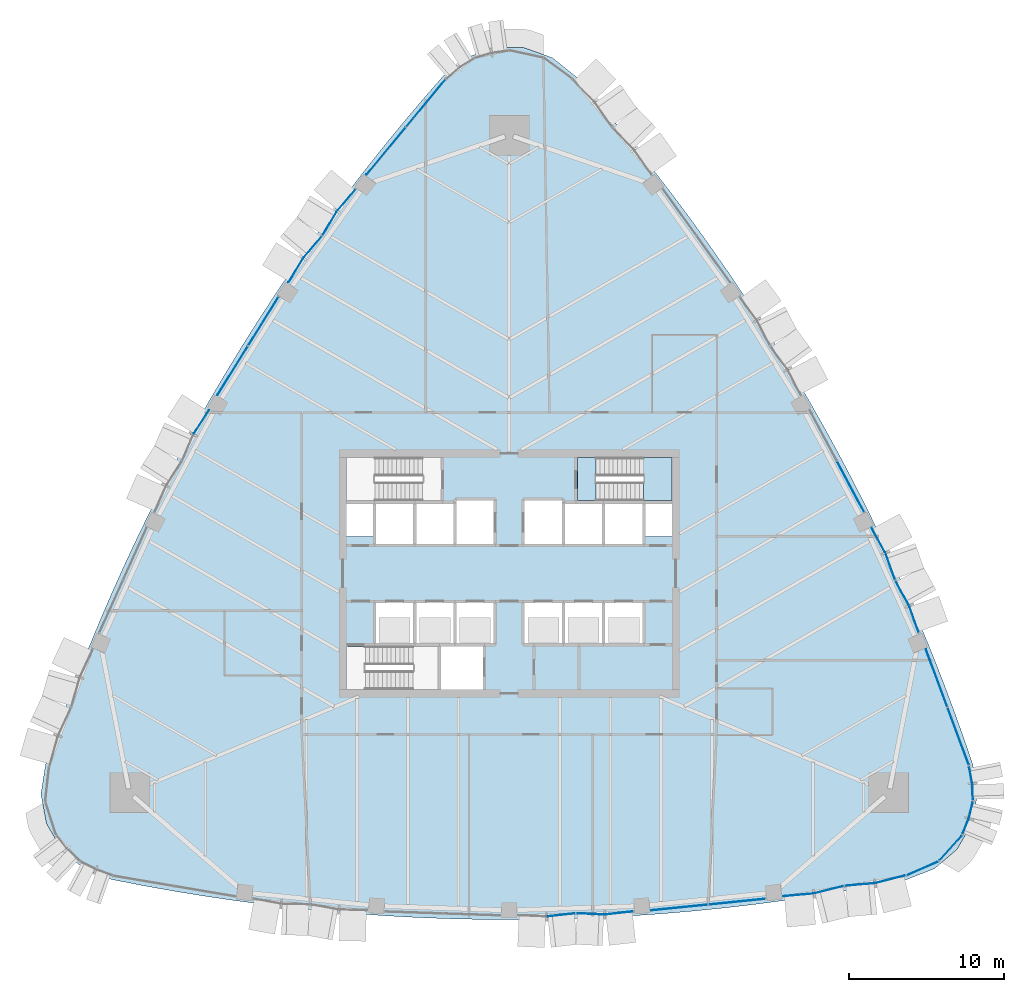
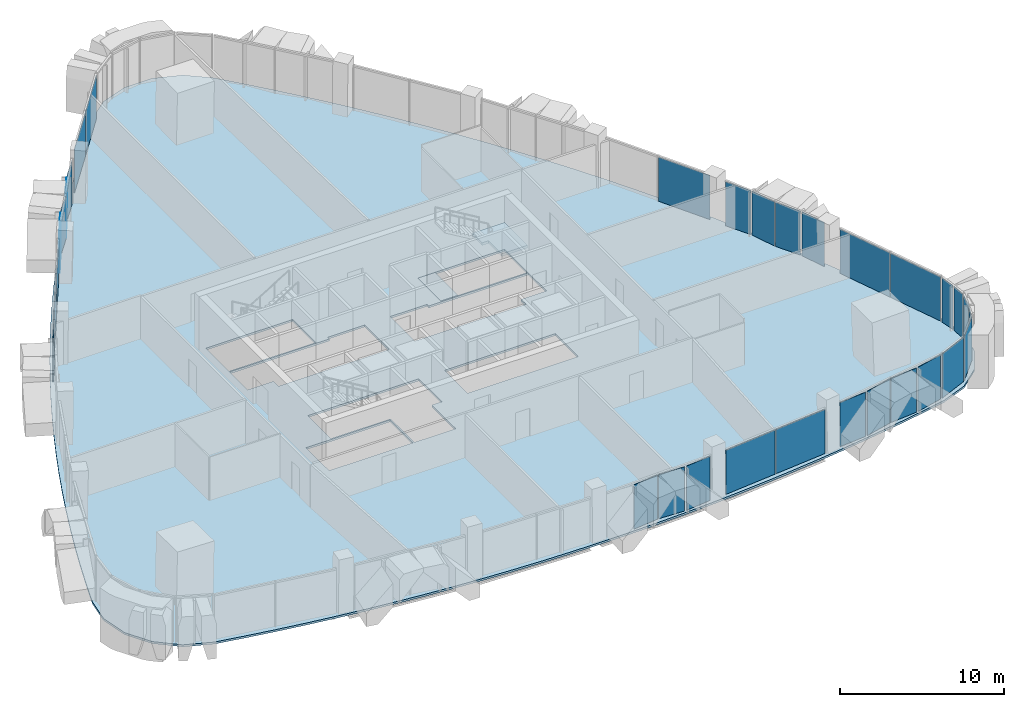
# One storey, part 9 of 17: 31 plates, 3 slabs, 15 elements without a shape of their own.
"""IFC4 building model written with IfcOpenShell, lengths in metres."""

from ifc_helpers import new_model, si_unit, direction, frame, origin, origin_2d, place, context, subcontext, project, spatial, polyline, rectangle, outline, extrude, material, layer, layer_set, type_object, element, aggregate, save


model = new_model("IFC4")

# Units and contexts
model_context = context("Model", 3, precision=1e-05, world=origin(), true_north=direction((0.0, 1.0)))
body_context = subcontext(model_context, "Body", "Model", "MODEL_VIEW")
ifc_project = project(units=[si_unit("LENGTHUNIT", "METRE"), si_unit("AREAUNIT", "SQUARE_METRE"), si_unit("VOLUMEUNIT", "CUBIC_METRE"), si_unit("PLANEANGLEUNIT", "RADIAN"), si_unit("MASSUNIT", "GRAM", prefix="KILO")], contexts=[model_context])

# Site, building, storey
site_placement = place(None, origin())
site = spatial("IfcSite", under=ifc_project, at=site_placement, CompositionType="ELEMENT")
building_placement = place(site_placement, origin())
building = spatial("IfcBuilding", under=site, at=building_placement, Name="Sierra Prisma Convention Tower", CompositionType="ELEMENT")
storey_placement = place(building_placement, frame((0.0, 0.0, 145.800048828125)))
storey = spatial("IfcBuildingStorey", under=building, at=storey_placement, Name="L31", CompositionType="ELEMENT", Elevation=145.800048828125)

# Curtain wall, plates
ifc_material_1 = material(Name="Aluminium and glass curtain wall", Category="aluminium")
ifc_layer_1 = layer(ifc_material_1, 0.179931640625)
ifc_layer_set_1 = layer_set([ifc_layer_1], Name="CW-1 Plain shaft curtain wall")
curtain_wall_type_1 = type_object("IfcCurtainWallType", Name="CW-1 Plain shaft curtain wall", PredefinedType="NOTDEFINED", material=ifc_layer_set_1)
curtain_wall_1_placement = place(storey_placement, origin())
curtain_wall_1 = element("IfcCurtainWall", 1, at=curtain_wall_1_placement, inside=storey, type_object=curtain_wall_type_1, Name="CW-1 S5 L31", PredefinedType="NOTDEFINED")
ifc_material_2 = material(Name="Tinted glass bronze-grey IGU", Category="glass")
ifc_layer_2 = layer(ifc_material_2, 0.028076171875)
ifc_layer_set_2 = layer_set([ifc_layer_2], Name="CW-1 glass panel")
plate_type_1 = type_object("IfcPlateType", Name="CW-1 glass panel", PredefinedType="CURTAIN_PANEL", material=ifc_layer_set_2)
plate_1_placement = place(storey_placement, frame((10.9873046875, -21.57666015625, 0.0), z_axis=(0.0, 0.0, 1.0), x_axis=(0.99493521819, 0.100518215286, 0.0)))
plate_1 = element("IfcPlate", 2, at=plate_1_placement, type_object=plate_type_1, Name="CW-1 panel S5.1", PredefinedType="CURTAIN_PANEL", context=body_context, shape_type="SweptSolid", body=[
    extrude(rectangle(XDim=3.671875, YDim=0.028076171875, at=origin_2d()), origin(), (0.0, 0.0, 1.0), 3.280029296875),
])
plate_2_placement = place(storey_placement, frame((14.710205078125, -21.20068359375, 0.0), z_axis=(0.0, 0.0, 1.0), x_axis=(0.99493521819, 0.100518215286, 0.0)))
plate_2 = element("IfcPlate", 3, at=plate_2_placement, type_object=plate_type_1, Name="CW-1 panel S5.2", PredefinedType="CURTAIN_PANEL", context=body_context, shape_type="SweptSolid", body=[
    extrude(rectangle(XDim=3.671875, YDim=0.028076171875, at=origin_2d()), origin(), (0.0, 0.0, 1.0), 3.280029296875),
])
aggregate(curtain_wall_1, [plate_1, plate_2])

# Curtain wall, plate
curtain_wall_2_placement = place(storey_placement, origin())
curtain_wall_2 = element("IfcCurtainWall", 4, at=curtain_wall_2_placement, inside=storey, type_object=curtain_wall_type_1, Name="CW-1 SE1 L31", PredefinedType="NOTDEFINED")
plate_3_placement = place(storey_placement, frame((26.6767578125, -19.05810546875, 0.0), z_axis=(0.0, 0.0, 1.0), x_axis=(0.915988373638, 0.401204809741, 0.0)))
plate_3 = element("IfcPlate", 5, at=plate_3_placement, type_object=plate_type_1, Name="CW-1 panel SE1.1", PredefinedType="CURTAIN_PANEL", context=body_context, shape_type="SweptSolid", body=[
    extrude(rectangle(XDim=2.15380859375, YDim=0.028076171875, at=origin_2d()), origin(), (0.0, 0.0, 1.0), 3.280029296875),
])
aggregate(curtain_wall_2, [plate_3])

curtain_wall_3_placement = place(storey_placement, origin())
curtain_wall_3 = element("IfcCurtainWall", 6, at=curtain_wall_3_placement, inside=storey, type_object=curtain_wall_type_1, Name="CW-1 SE2 L31", PredefinedType="NOTDEFINED")
plate_4_placement = place(storey_placement, frame((28.496337890625, -17.7470703125, 0.0), z_axis=(0.0, 0.0, 1.0), x_axis=(0.670627238013, 0.741794518472, 0.0)))
plate_4 = element("IfcPlate", 7, at=plate_4_placement, type_object=plate_type_1, Name="CW-1 panel SE2.1", PredefinedType="CURTAIN_PANEL", context=body_context, shape_type="SweptSolid", body=[
    extrude(rectangle(XDim=2.15380859375, YDim=0.028076171875, at=origin_2d()), origin(), (0.0, 0.0, 1.0), 3.280029296875),
])
aggregate(curtain_wall_3, [plate_4])

# Curtain wall, plates
curtain_wall_4_placement = place(storey_placement, origin())
curtain_wall_4 = element("IfcCurtainWall", 8, at=curtain_wall_4_placement, inside=storey, type_object=curtain_wall_type_1, Name="CW-1 NE1 L31", PredefinedType="NOTDEFINED")
plate_5_placement = place(storey_placement, frame((29.0048828125, -10.51953125, 0.0), z_axis=(0.0, 0.0, 1.0), x_axis=(-0.348326317722, 0.937373338848, 0.0)))
plate_5 = element("IfcPlate", 9, at=plate_5_placement, type_object=plate_type_1, Name="CW-1 panel NE1.1", PredefinedType="CURTAIN_PANEL", context=body_context, shape_type="SweptSolid", body=[
    extrude(rectangle(XDim=3.9443359375, YDim=0.028076171875, at=origin_2d()), origin(), (0.0, 0.0, 1.0), 3.280029296875),
])
plate_6_placement = place(storey_placement, frame((27.606689453125, -6.7568359375, 0.0), z_axis=(0.0, 0.0, 1.0), x_axis=(-0.348326317722, 0.937373338848, 0.0)))
plate_6 = element("IfcPlate", 10, at=plate_6_placement, type_object=plate_type_1, Name="CW-1 panel NE1.2", PredefinedType="CURTAIN_PANEL", context=body_context, shape_type="SweptSolid", body=[
    extrude(rectangle(XDim=3.9443359375, YDim=0.028076171875, at=origin_2d()), origin(), (0.0, 0.0, 1.0), 3.280029296875),
])
aggregate(curtain_wall_4, [plate_5, plate_6])

# Curtain wall, plate
curtain_wall_5_placement = place(storey_placement, origin())
curtain_wall_5 = element("IfcCurtainWall", 11, at=curtain_wall_5_placement, inside=storey, type_object=curtain_wall_type_1, Name="CW-1 NE3 L31", PredefinedType="NOTDEFINED")
plate_7_placement = place(storey_placement, frame((22.05029296875, 5.60791015625, 0.0), z_axis=(0.0, 0.0, 1.0), x_axis=(-0.47065767126, 0.882315905152, 0.0)))
plate_7 = element("IfcPlate", 12, at=plate_7_placement, type_object=plate_type_1, Name="CW-1 panel NE3.1", PredefinedType="CURTAIN_PANEL", context=body_context, shape_type="SweptSolid", body=[
    extrude(rectangle(XDim=3.68798828125, YDim=0.028076171875, at=origin_2d()), origin(), (0.0, 0.0, 1.0), 3.280029296875),
])
aggregate(curtain_wall_5, [plate_7])

# Curtain wall, plates
curtain_wall_6_placement = place(storey_placement, origin())
curtain_wall_6 = element("IfcCurtainWall", 13, at=curtain_wall_6_placement, inside=storey, type_object=curtain_wall_type_1, Name="CW-1 NW1 L31", PredefinedType="NOTDEFINED")
plate_8_placement = place(storey_placement, frame((-5.39208984375, 30.37890625, 0.0), z_axis=(0.0, 0.0, 1.0), x_axis=(-0.637625965411, -0.770346109378, 0.0)))
plate_8 = element("IfcPlate", 14, at=plate_8_placement, type_object=plate_type_1, Name="CW-1 panel NW1.1", PredefinedType="CURTAIN_PANEL", context=body_context, shape_type="SweptSolid", body=[
    extrude(rectangle(XDim=3.9443359375, YDim=0.028076171875, at=origin_2d()), origin(), (0.0, 0.0, 1.0), 3.280029296875),
])
plate_9_placement = place(storey_placement, frame((-7.951904296875, 27.28662109375, 0.0), z_axis=(0.0, 0.0, 1.0), x_axis=(-0.637625965411, -0.770346109378, 0.0)))
plate_9 = element("IfcPlate", 15, at=plate_9_placement, type_object=plate_type_1, Name="CW-1 panel NW1.2", PredefinedType="CURTAIN_PANEL", context=body_context, shape_type="SweptSolid", body=[
    extrude(rectangle(XDim=3.9443359375, YDim=0.028076171875, at=origin_2d()), origin(), (0.0, 0.0, 1.0), 3.280029296875),
])
aggregate(curtain_wall_6, [plate_8, plate_9])

curtain_wall_7_placement = place(storey_placement, origin())
curtain_wall_7 = element("IfcCurtainWall", 16, at=curtain_wall_7_placement, inside=storey, type_object=curtain_wall_type_1, Name="CW-1 NW3 L31", PredefinedType="NOTDEFINED")
plate_10_placement = place(storey_placement, frame((-15.8818359375, 16.2919921875, 0.0), z_axis=(0.0, 0.0, 1.0), x_axis=(-0.528779152394, -0.848759452373, 0.0)))
plate_10 = element("IfcPlate", 17, at=plate_10_placement, type_object=plate_type_1, Name="CW-1 panel NW3.1", PredefinedType="CURTAIN_PANEL", context=body_context, shape_type="SweptSolid", body=[
    extrude(rectangle(XDim=3.68798828125, YDim=0.028076171875, at=origin_2d()), origin(), (0.0, 0.0, 1.0), 3.280029296875),
])
plate_11_placement = place(storey_placement, frame((-17.868896484375, 13.1025390625, 0.0), z_axis=(0.0, 0.0, 1.0), x_axis=(-0.528779152394, -0.848759452373, 0.0)))
plate_11 = element("IfcPlate", 18, at=plate_11_placement, type_object=plate_type_1, Name="CW-1 panel NW3.2", PredefinedType="CURTAIN_PANEL", context=body_context, shape_type="SweptSolid", body=[
    extrude(rectangle(XDim=3.68798828125, YDim=0.028076171875, at=origin_2d()), origin(), (0.0, 0.0, 1.0), 3.280029296875),
])
aggregate(curtain_wall_7, [plate_10, plate_11])

ifc_material_3 = material(Name="Aluminium and glass curtain wall", Category="aluminium")
ifc_layer_3 = layer(ifc_material_3, 0.179931640625)
ifc_layer_set_3 = layer_set([ifc_layer_3], Name="CW-2 Faceted crystal curtain wall")
curtain_wall_type_2 = type_object("IfcCurtainWallType", Name="CW-2 Faceted crystal curtain wall", PredefinedType="NOTDEFINED", material=ifc_layer_set_3)
curtain_wall_8_placement = place(storey_placement, origin())
curtain_wall_8 = element("IfcCurtainWall", 19, at=curtain_wall_8_placement, inside=storey, type_object=curtain_wall_type_2, Name="CW-2 S4 L31", PredefinedType="NOTDEFINED")
ifc_material_4 = material(Name="Tinted glass bronze-grey IGU", Category="glass")
ifc_layer_4 = layer(ifc_material_4, 0.028076171875)
ifc_layer_set_4 = layer_set([ifc_layer_4], Name="CW-2 crystal pane")
plate_type_2 = type_object("IfcPlateType", Name="CW-2 crystal pane", PredefinedType="CURTAIN_PANEL", material=ifc_layer_set_4)
plate_12_placement = place(storey_placement, frame((4.255615234375, -21.96435546875, 0.0), z_axis=(0.111767754453, -0.993734355381, 0.0), x_axis=(-0.993734355381, -0.111767754453, 0.0)))
plate_12 = element("IfcPlate", 20, at=plate_12_placement, type_object=plate_type_2, Name="CW-2 pane S4.1.2", PredefinedType="CURTAIN_PANEL", context=body_context, shape_type="SweptSolid", body=[
    extrude(outline(polyline([(0.0, 0.0), (1.7846192902528906, 0.0), (1.7846192902528906, -3.280029296875), (0.0, -3.280029296875), (0.0, 0.0)])), origin(), (0.0, 0.0, -1.0), 0.028076171875),
])
plate_13_placement = place(storey_placement, frame((4.325439453125, -21.9619140625, 0.0), z_axis=(-0.045004334445, -0.998986791645, 0.0), x_axis=(0.998986791645, -0.045004334445, 0.0)))
plate_13 = element("IfcPlate", 21, at=plate_13_placement, type_object=plate_type_2, Name="CW-2 pane S4.2.1", PredefinedType="CURTAIN_PANEL", context=body_context, shape_type="SweptSolid", body=[
    extrude(outline(polyline([(0.0, 0.0), (1.7847673255409695, 0.0), (1.7847673255409695, 3.280029296875001), (0.0, 3.280029296875001), (0.0, 0.0)])), origin(), (0.0, 0.0, -1.0), 0.028076171875),
])
plate_14_placement = place(storey_placement, frame((8.01123046875, -21.838134765625, 0.0), z_axis=(0.111902845048, -0.99371915211, 0.0), x_axis=(-0.99371915211, -0.111902845048, 0.0)))
plate_14 = element("IfcPlate", 22, at=plate_14_placement, type_object=plate_type_2, Name="CW-2 pane S4.2.2", PredefinedType="CURTAIN_PANEL", context=body_context, shape_type="SweptSolid", body=[
    extrude(outline(polyline([(0.0, 0.0), (1.784646593792995, 0.0), (1.784646593792995, -3.280029296875001), (0.0, -3.280029296875001), (0.0, 0.0)])), origin(), (0.0, 0.0, -1.0), 0.028076171875),
])
aggregate(curtain_wall_8, [plate_12, plate_13, plate_14])

curtain_wall_9_placement = place(storey_placement, origin())
curtain_wall_9 = element("IfcCurtainWall", 23, at=curtain_wall_9_placement, inside=storey, type_object=curtain_wall_type_2, Name="CW-2 S6 L31", PredefinedType="NOTDEFINED")
plate_15_placement = place(storey_placement, frame((17.71044921875, -20.859130859375, 0.0), z_axis=(0.089189629746, -0.996014663519, 0.0), x_axis=(0.996014663519, 0.089189629746, 0.0)))
plate_15 = element("IfcPlate", 24, at=plate_15_placement, type_object=plate_type_2, Name="CW-2 pane S6.1.1", PredefinedType="CURTAIN_PANEL", context=body_context, shape_type="SweptSolid", body=[
    extrude(outline(polyline([(0.0, 0.0), (1.913387210601883, 0.0), (1.913387210601883, 3.280029296875), (0.0, 3.280029296875), (0.0, 0.0)])), origin(), (0.0, 0.0, -1.0), 0.028076171875),
])
plate_16_placement = place(storey_placement, frame((21.599365234375, -20.2001953125, 0.0), z_axis=(0.243976518255, -0.969781139505, 0.0), x_axis=(-0.969781139505, -0.243976518255, 0.0)))
plate_16 = element("IfcPlate", 25, at=plate_16_placement, type_object=plate_type_2, Name="CW-2 pane S6.1.2", PredefinedType="CURTAIN_PANEL", context=body_context, shape_type="SweptSolid", body=[
    extrude(outline(polyline([(0.0, 0.0), (1.91328607498626, 0.0), (1.91328607498626, -3.280029296875), (0.0, -3.280029296875), (0.0, 0.0)])), origin(), (0.0, 0.0, -1.0), 0.028076171875),
])
plate_17_placement = place(storey_placement, frame((21.66845703125, -20.188720703125, 0.0), z_axis=(0.08920096607, -0.996013648326, 0.0), x_axis=(0.996013648326, 0.08920096607, 0.0)))
plate_17 = element("IfcPlate", 26, at=plate_17_placement, type_object=plate_type_2, Name="CW-2 pane S6.2.1", PredefinedType="CURTAIN_PANEL", context=body_context, shape_type="SweptSolid", body=[
    extrude(outline(polyline([(0.0, 0.0), (1.9131440430833393, 0.0), (1.9131440430833393, 3.280029296875001), (0.0, 3.280029296875001), (0.0, 0.0)])), origin(), (0.0, 0.0, -1.0), 0.028076171875),
])
plate_18_placement = place(storey_placement, frame((25.55712890625, -19.52978515625, 0.0), z_axis=(0.243856505367, -0.969811324326, 0.0), x_axis=(-0.969811324326, -0.243856505367, 0.0)))
plate_18 = element("IfcPlate", 27, at=plate_18_placement, type_object=plate_type_2, Name="CW-2 pane S6.2.2", PredefinedType="CURTAIN_PANEL", context=body_context, shape_type="SweptSolid", body=[
    extrude(outline(polyline([(0.0, 0.0), (1.9132265250563907, 0.0), (1.9132265250563907, -3.280029296875), (0.0, -3.280029296875), (0.0, 0.0)])), origin(), (0.0, 0.0, -1.0), 0.028076171875),
])
aggregate(curtain_wall_9, [plate_15, plate_16, plate_17, plate_18])

curtain_wall_10_placement = place(storey_placement, origin())
curtain_wall_10 = element("IfcCurtainWall", 28, at=curtain_wall_10_placement, inside=storey, type_object=curtain_wall_type_2, Name="CW-2 SE3 L31", PredefinedType="NOTDEFINED")
plate_19_placement = place(storey_placement, frame((29.286865234375, -16.829833984375, 0.0), z_axis=(0.92461334275, -0.380907031188, 0.0), x_axis=(0.380907031188, 0.92461334275, 0.0)))
plate_19 = element("IfcPlate", 29, at=plate_19_placement, type_object=plate_type_2, Name="CW-2 pane SE3.1.1", PredefinedType="CURTAIN_PANEL", context=body_context, shape_type="SweptSolid", body=[
    extrude(outline(polyline([(0.0, 0.0), (1.0152575781923803, 0.0), (1.0152575781923803, 3.280029296875001), (0.0, 3.280029296875001), (0.0, 0.0)])), origin(), (0.0, 0.0, -1.0), 0.028076171875),
])
plate_20_placement = place(storey_placement, frame((29.9482421875, -14.780029296875, 0.0), z_axis=(0.972878406883, -0.231317110089, 0.0), x_axis=(-0.231317110089, -0.972878406883, 0.0)))
plate_20 = element("IfcPlate", 30, at=plate_20_placement, type_object=plate_type_2, Name="CW-2 pane SE3.1.2", PredefinedType="CURTAIN_PANEL", context=body_context, shape_type="SweptSolid", body=[
    extrude(outline(polyline([(0.0, 0.0), (1.0153303452529403, 0.0), (1.0153303452529403, -3.280029296875), (0.0, -3.280029296875), (0.0, 0.0)])), origin(), (0.0, 0.0, -1.0), 0.028076171875),
])
aggregate(curtain_wall_10, [plate_19, plate_20])

curtain_wall_11_placement = place(storey_placement, origin())
curtain_wall_11 = element("IfcCurtainWall", 31, at=curtain_wall_11_placement, inside=storey, type_object=curtain_wall_type_2, Name="CW-2 SE4 L31", PredefinedType="NOTDEFINED")
plate_21_placement = place(storey_placement, frame((29.962158203125, -14.64404296875, 0.0), z_axis=(0.999480614201, 0.032225794587, 0.0), x_axis=(-0.032225794587, 0.999480614201, 0.0)))
plate_21 = element("IfcPlate", 32, at=plate_21_placement, type_object=plate_type_2, Name="CW-2 pane SE4.1.1", PredefinedType="CURTAIN_PANEL", context=body_context, shape_type="SweptSolid", body=[
    extrude(outline(polyline([(0.0, 0.0), (1.0151757053450297, 0.0), (1.0151757053450297, 3.280029296875001), (0.0, 3.280029296875001), (0.0, 0.0)])), origin(), (0.0, 0.0, -1.0), 0.028076171875),
])
plate_22_placement = place(storey_placement, frame((29.72412109375, -12.50341796875, 0.0), z_axis=(0.982157082149, 0.188062399177, 0.0), x_axis=(0.188062399177, -0.982157082149, 0.0)))
plate_22 = element("IfcPlate", 33, at=plate_22_placement, type_object=plate_type_2, Name="CW-2 pane SE4.1.2", PredefinedType="CURTAIN_PANEL", context=body_context, shape_type="SweptSolid", body=[
    extrude(outline(polyline([(0.0, 0.0), (1.0151841600716955, 0.0), (1.0151841600716955, -3.280029296875001), (0.0, -3.280029296875001), (0.0, 0.0)])), origin(), (0.0, 0.0, -1.0), 0.028076171875),
])
aggregate(curtain_wall_11, [plate_21, plate_22])

curtain_wall_12_placement = place(storey_placement, origin())
curtain_wall_12 = element("IfcCurtainWall", 34, at=curtain_wall_12_placement, inside=storey, type_object=curtain_wall_type_2, Name="CW-2 NE2 L31", PredefinedType="NOTDEFINED")
plate_23_placement = place(storey_placement, frame((26.468994140625, -3.8134765625, 0.0), z_axis=(0.941280913524, 0.33762440942, 0.0), x_axis=(-0.33762440942, 0.941280913524, 0.0)))
plate_23 = element("IfcPlate", 35, at=plate_23_placement, type_object=plate_type_2, Name="CW-2 pane NE2.1.1", PredefinedType="CURTAIN_PANEL", context=body_context, shape_type="SweptSolid", body=[
    extrude(outline(polyline([(0.0, 0.0), (1.776688826069703, 0.0), (1.776688826069703, 3.280029296875), (0.0, 3.280029296875), (0.0, 0.0)])), origin(), (0.0, 0.0, -1.0), 0.028076171875),
])
plate_24_placement = place(storey_placement, frame((24.9619140625, -0.465087890625, 0.0), z_axis=(0.876885286852, 0.480699691805, 0.0), x_axis=(0.480699691805, -0.876885286852, 0.0)))
plate_24 = element("IfcPlate", 36, at=plate_24_placement, type_object=plate_type_2, Name="CW-2 pane NE2.1.2", PredefinedType="CURTAIN_PANEL", context=body_context, shape_type="SweptSolid", body=[
    extrude(outline(polyline([(0.0, 0.0), (1.7765850921241144, 0.0), (1.7765850921241144, -3.280029296875), (0.0, -3.280029296875), (0.0, 0.0)])), origin(), (0.0, 0.0, -1.0), 0.028076171875),
])
plate_25_placement = place(storey_placement, frame((24.933349609375, -0.401123046875, 0.0), z_axis=(0.941280913524, 0.33762440942, 0.0), x_axis=(-0.33762440942, 0.941280913524, 0.0)))
plate_25 = element("IfcPlate", 37, at=plate_25_placement, type_object=plate_type_2, Name="CW-2 pane NE2.2.1", PredefinedType="CURTAIN_PANEL", context=body_context, shape_type="SweptSolid", body=[
    extrude(outline(polyline([(0.0, 0.0), (1.776688826069703, 0.0), (1.776688826069703, 3.280029296875), (0.0, 3.280029296875), (0.0, 0.0)])), origin(), (0.0, 0.0, -1.0), 0.028076171875),
])
plate_26_placement = place(storey_placement, frame((23.42626953125, 2.947265625, 0.0), z_axis=(0.876885286852, 0.480699691805, 0.0), x_axis=(0.480699691805, -0.876885286852, 0.0)))
plate_26 = element("IfcPlate", 38, at=plate_26_placement, type_object=plate_type_2, Name="CW-2 pane NE2.2.2", PredefinedType="CURTAIN_PANEL", context=body_context, shape_type="SweptSolid", body=[
    extrude(outline(polyline([(0.0, 0.0), (1.7765850921241144, 0.0), (1.7765850921241144, -3.280029296875), (0.0, -3.280029296875), (0.0, 0.0)])), origin(), (0.0, 0.0, -1.0), 0.028076171875),
])
aggregate(curtain_wall_12, [plate_23, plate_24, plate_25, plate_26])

curtain_wall_13_placement = place(storey_placement, origin())
curtain_wall_13 = element("IfcCurtainWall", 39, at=curtain_wall_13_placement, inside=storey, type_object=curtain_wall_type_2, Name="CW-2 NW2 L31", PredefinedType="NOTDEFINED")
plate_27_placement = place(storey_placement, frame((-9.93212890625, 24.829345703125, 0.0), z_axis=(-0.763036900321, 0.64635492475, 0.0), x_axis=(-0.64635492475, -0.763036900321, 0.0)))
plate_27 = element("IfcPlate", 40, at=plate_27_placement, type_object=plate_type_2, Name="CW-2 pane NW2.1.1", PredefinedType="CURTAIN_PANEL", context=body_context, shape_type="SweptSolid", body=[
    extrude(outline(polyline([(0.0, 0.0), (1.776413105879207, 0.0), (1.776413105879207, 3.280029296875), (0.0, 3.280029296875), (0.0, 0.0)])), origin(), (0.0, 0.0, -1.0), 0.028076171875),
])
plate_28_placement = place(storey_placement, frame((-12.078369140625, 21.85009765625, 0.0), z_axis=(-0.854752678019, 0.519035508823, 0.0), x_axis=(0.519035508823, 0.854752678019, 0.0)))
plate_28 = element("IfcPlate", 41, at=plate_28_placement, type_object=plate_type_2, Name="CW-2 pane NW2.1.2", PredefinedType="CURTAIN_PANEL", context=body_context, shape_type="SweptSolid", body=[
    extrude(outline(polyline([(0.0, 0.0), (1.7766012632088306, 0.0), (1.7766012632088306, -3.280029296875001), (0.0, -3.280029296875001), (0.0, 0.0)])), origin(), (0.0, 0.0, -1.0), 0.028076171875),
])
plate_29_placement = place(storey_placement, frame((-12.119140625, 21.793212890625, 0.0), z_axis=(-0.762969120411, 0.646434931991, 0.0), x_axis=(-0.646434931991, -0.762969120411, 0.0)))
plate_29 = element("IfcPlate", 42, at=plate_29_placement, type_object=plate_type_2, Name="CW-2 pane NW2.2.1", PredefinedType="CURTAIN_PANEL", context=body_context, shape_type="SweptSolid", body=[
    extrude(outline(polyline([(0.0, 0.0), (1.7765709171414499, 0.0), (1.7765709171414499, 3.280029296875), (0.0, 3.280029296875), (0.0, 0.0)])), origin(), (0.0, 0.0, -1.0), 0.028076171875),
])
plate_30_placement = place(storey_placement, frame((-14.265380859375, 18.81396484375, 0.0), z_axis=(-0.854752678019, 0.519035508823, 0.0), x_axis=(0.519035508823, 0.854752678019, 0.0)))
plate_30 = element("IfcPlate", 43, at=plate_30_placement, type_object=plate_type_2, Name="CW-2 pane NW2.2.2", PredefinedType="CURTAIN_PANEL", context=body_context, shape_type="SweptSolid", body=[
    extrude(outline(polyline([(0.0, 0.0), (1.7766012632088306, 0.0), (1.7766012632088306, -3.280029296875001), (0.0, -3.280029296875001), (0.0, 0.0)])), origin(), (0.0, 0.0, -1.0), 0.028076171875),
])
aggregate(curtain_wall_13, [plate_27, plate_28, plate_29, plate_30])

# Curtain wall, plate
curtain_wall_14_placement = place(storey_placement, origin())
curtain_wall_14 = element("IfcCurtainWall", 44, at=curtain_wall_14_placement, inside=storey, type_object=curtain_wall_type_2, Name="CW-2 NW4 L31", PredefinedType="NOTDEFINED")
plate_31_placement = place(storey_placement, frame((-19.41357421875, 10.550537109375, 0.0), z_axis=(-0.842629008893, 0.538494524923, 0.0), x_axis=(-0.538494524923, -0.842629008893, 0.0)))
plate_31 = element("IfcPlate", 45, at=plate_31_placement, type_object=plate_type_2, Name="CW-2 pane NW4.1.1", PredefinedType="CURTAIN_PANEL", context=body_context, shape_type="SweptSolid", body=[
    extrude(outline(polyline([(0.0, 0.0), (1.7844888954757674, 0.0), (1.7844888954757674, 3.280029296875), (0.0, 3.280029296875), (0.0, 0.0)])), origin(), (0.0, 0.0, -1.0), 0.028076171875),
])
aggregate(curtain_wall_14, [plate_31])

# Slab
ifc_material_5 = material(Name="Concrete C35/45", Category="concrete")
ifc_layer_5 = layer(ifc_material_5, 0.14990234375)
ifc_layer_set_5 = layer_set([ifc_layer_5], Name="Composite floor slab 150")
slab_type_1 = type_object("IfcSlabType", Name="Composite floor slab 150", PredefinedType="FLOOR", material=ifc_layer_set_5)
slab_1_placement = place(storey_placement, frame((0.0, 0.0, -0.150146484375)))
element("IfcSlab", 46, at=slab_1_placement, inside=storey, type_object=slab_type_1, Name="Floor slab L31 floor", PredefinedType="FLOOR", context=body_context, shape_type="SweptSolid", body=[
    extrude(outline(polyline([(-25.67626953125, -19.76318359375), (-23.724853515625, -20.145751953125), (-21.767822265625, -20.498046875), (-19.8056640625, -20.820068359375), (-17.838623046875, -21.111572265625), (-15.867431640625, -21.372802734375), (-13.892333984375, -21.603271484375), (-11.913818359375, -21.802978515625), (-9.9326171875, -21.972412109375), (-7.948974609375, -22.11083984375), (-5.96337890625, -22.218505859375), (-3.976318359375, -22.295654296875), (-1.988525390625, -22.341796875), (0.0, -22.357177734375), (1.988525390625, -22.341796875), (3.976318359375, -22.295654296875), (5.96337890625, -22.218505859375), (7.948974609375, -22.11083984375), (9.9326171875, -21.972412109375), (11.913818359375, -21.802978515625), (13.892333984375, -21.603271484375), (15.867431640625, -21.372802734375), (17.838623046875, -21.111572265625), (19.8056640625, -20.820068359375), (21.767822265625, -20.498046875), (23.724853515625, -20.145751953125), (25.67626953125, -19.76318359375), (27.4697265625, -19.06640625), (28.93017578125, -17.813720703125), (29.892333984375, -16.1474609375), (30.246826171875, -14.25634765625), (29.953369140625, -12.354736328125), (29.30908203125, -10.473388671875), (28.6357421875, -8.6025390625), (27.93359375, -6.7421875), (27.20263671875, -4.892822265625), (26.44287109375, -3.05517578125), (25.655029296875, -1.2294921875), (24.8388671875, 0.583740234375), (23.994873046875, 2.38427734375), (23.123046875, 4.17138671875), (22.2236328125, 5.94482421875), (21.296630859375, 7.7041015625), (20.3427734375, 9.44873046875), (19.36181640625, 11.178466796875), (18.354248046875, 12.892822265625), (17.3203125, 14.59130859375), (16.26025390625, 16.273681640625), (15.174072265625, 17.939453125), (14.062255859375, 19.588134765625), (12.925048828125, 21.21923828125), (11.7626953125, 22.832763671875), (10.57568359375, 24.427978515625), (9.364013671875, 26.004638671875), (8.1279296875, 27.562255859375), (6.867919921875, 29.1005859375), (5.584228515625, 30.619140625), (4.27734375, 32.11767578125), (2.777099609375, 33.322509765625), (0.962158203125, 33.961181640625), (-0.962158203125, 33.961181640625), (-2.777099609375, 33.322509765625), (-4.27734375, 32.11767578125), (-5.584228515625, 30.619140625), (-6.867919921875, 29.1005859375), (-8.1279296875, 27.562255859375), (-9.364013671875, 26.004638671875), (-10.57568359375, 24.427978515625), (-11.7626953125, 22.832763671875), (-12.925048828125, 21.21923828125), (-14.062255859375, 19.588134765625), (-15.174072265625, 17.939453125), (-16.26025390625, 16.273681640625), (-17.3203125, 14.59130859375), (-18.354248046875, 12.892822265625), (-19.36181640625, 11.178466796875), (-20.3427734375, 9.44873046875), (-21.296630859375, 7.7041015625), (-22.2236328125, 5.94482421875), (-23.123046875, 4.17138671875), (-23.994873046875, 2.38427734375), (-24.8388671875, 0.583740234375), (-25.655029296875, -1.2294921875), (-26.44287109375, -3.05517578125), (-27.20263671875, -4.892822265625), (-27.93359375, -6.7421875), (-28.6357421875, -8.6025390625), (-29.30908203125, -10.473388671875), (-29.953369140625, -12.354736328125), (-30.246826171875, -14.25634765625), (-29.892333984375, -16.1474609375), (-28.93017578125, -17.813720703125), (-27.4697265625, -19.06640625), (-25.67626953125, -19.76318359375)]), holes=[polyline([(-4.60009765625, -7.5), (-10.5, -7.5), (-10.5, -4.699951171875), (-4.60009765625, -4.699951171875), (-4.60009765625, -7.5)]), polyline([(-8.699951171875, -4.60009765625), (-8.699951171875, -1.800048828125), (-6.10009765625, -1.800048828125), (-3.5, -1.800048828125), (-0.89990234375, -1.800048828125), (-0.89990234375, -4.60009765625), (-1.60009765625, -4.60009765625), (-1.60009765625, -7.5), (-4.5, -7.5), (-4.5, -4.60009765625), (-6.10009765625, -4.60009765625), (-8.699951171875, -4.60009765625)]), polyline([(-10.5, 4.60009765625), (-8.699951171875, 4.60009765625), (-6.10009765625, 4.60009765625), (-3.5, 4.60009765625), (-3.5, 4.800048828125), (-0.89990234375, 4.800048828125), (-0.89990234375, 1.800048828125), (-3.5, 1.800048828125), (-6.10009765625, 1.800048828125), (-8.699951171875, 1.800048828125), (-8.699951171875, 2.39990234375), (-10.5, 2.39990234375), (-10.5, 4.60009765625)]), polyline([(-10.5, 4.699951171875), (-10.5, 7.5), (-4.39990234375, 7.5), (-4.39990234375, 4.699951171875), (-10.5, 4.699951171875)]), polyline([(6.10009765625, -1.800048828125), (8.699951171875, -1.800048828125), (8.699951171875, -4.60009765625), (6.10009765625, -4.60009765625), (3.5, -4.60009765625), (0.89990234375, -4.60009765625), (0.89990234375, -1.800048828125), (3.5, -1.800048828125), (6.10009765625, -1.800048828125)]), polyline([(8.699951171875, 4.60009765625), (10.5, 4.60009765625), (10.5, 2.39990234375), (8.699951171875, 2.39990234375), (8.699951171875, 1.800048828125), (6.10009765625, 1.800048828125), (3.5, 1.800048828125), (0.89990234375, 1.800048828125), (0.89990234375, 4.800048828125), (3.5, 4.800048828125), (3.5, 4.60009765625), (6.10009765625, 4.60009765625), (8.699951171875, 4.60009765625)]), polyline([(4.39990234375, 4.699951171875), (4.39990234375, 7.5), (10.5, 7.5), (10.5, 4.699951171875), (4.39990234375, 4.699951171875)])]), origin(), (0.0, 0.0, 1.0), 0.150146484375),
])

# Stair, slab
ifc_material_6 = material(Name="Concrete C30/37", Category="concrete")
stair_type = type_object("IfcStairType", Name="Stair dog-leg 1200 RC", PredefinedType="HALF_TURN_STAIR", material=ifc_material_6)
stair_placement = place(storey_placement, origin())
stair = element("IfcStair", 47, at=stair_placement, inside=storey, type_object=stair_type, Name="L31 S4", PredefinedType="HALF_TURN_STAIR")
ifc_material_7 = material(Name="Concrete C35/45", Category="concrete")
ifc_layer_6 = layer(ifc_material_7, 0.199951171875)
ifc_layer_set_6 = layer_set([ifc_layer_6], Name="Stair landing slab")
slab_type_2 = type_object("IfcSlabType", Name="Stair landing slab", PredefinedType="LANDING", material=ifc_layer_set_6)
slab_2_placement = place(storey_placement, frame((0.0, 0.0, 1.800048828125)))
slab_2 = element("IfcSlab", 48, at=slab_2_placement, type_object=slab_type_2, Name="S4 landing 1", PredefinedType="LANDING", context=body_context, shape_type="SweptSolid", body=[
    extrude(outline(polyline([(10.5, 7.5), (10.5, 4.699951171875), (8.677978515625, 4.699951171875), (8.677978515625, 6.300048828125), (8.22998046875, 6.300048828125), (8.22998046875, 7.5), (10.5, 7.5)])), origin(), (0.0, 0.0, 1.0), 0.199951171875),
])
aggregate(stair, [slab_2])

# Slab
slab_3_placement = place(storey_placement, frame((0.0, 0.0, -0.199951171875)))
element("IfcSlab", 49, at=slab_3_placement, inside=storey, type_object=slab_type_2, Name="S4 floor landing L31", PredefinedType="LANDING", context=body_context, shape_type="SweptSolid", body=[
    extrude(outline(polyline([(4.39990234375, 4.699951171875), (5.60205078125, 4.699951171875), (5.60205078125, 7.5), (4.39990234375, 7.5), (4.39990234375, 4.699951171875)])), origin(), (0.0, 0.0, 1.0), 0.199951171875),
])

save(model, "model.ifc")
